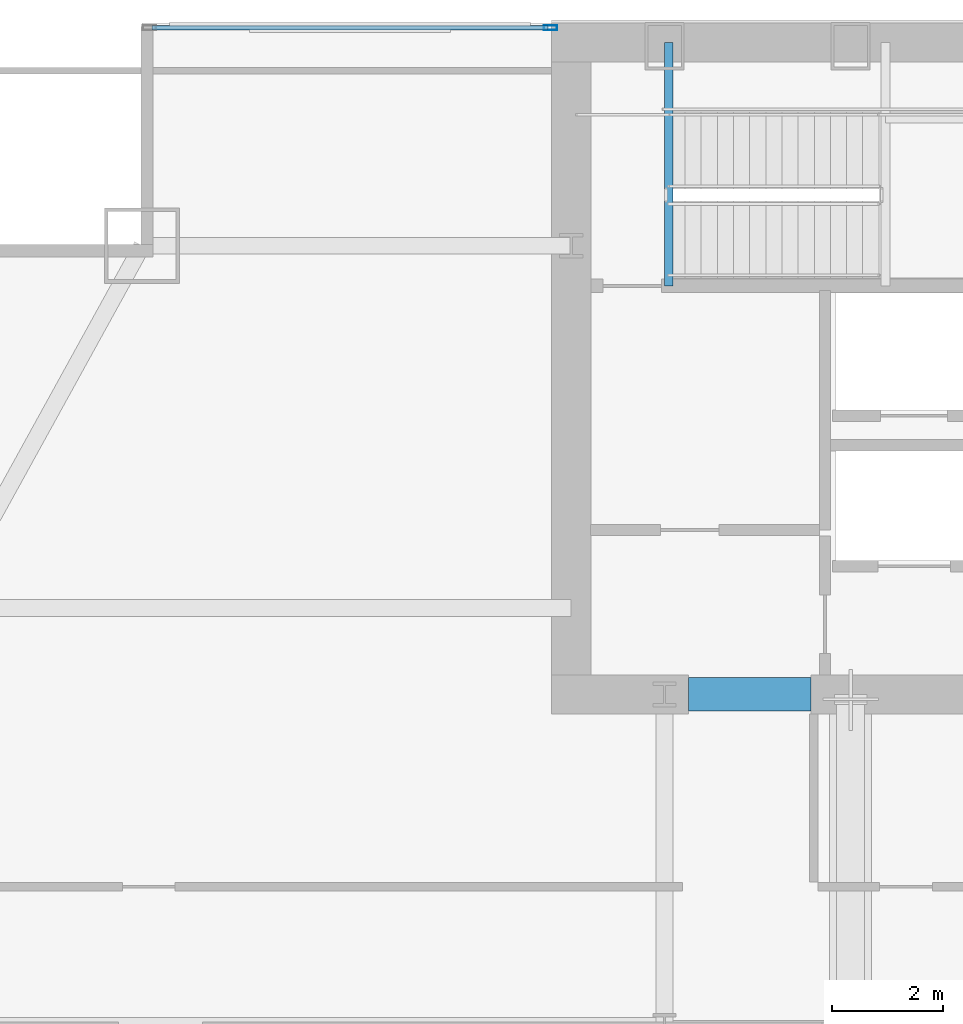
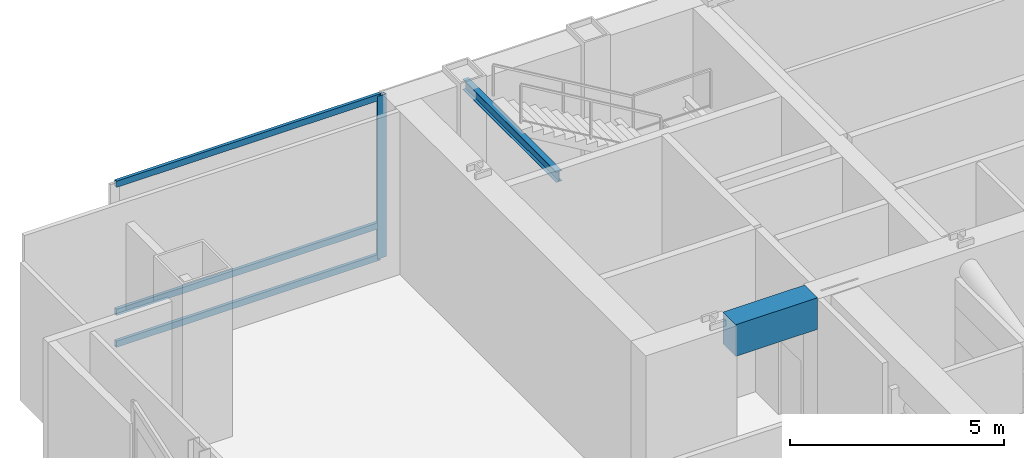
# One storey, part 18 of 30: 4 members, 2 beams, 1 element without a shape of its own.
"""IFC4 building model written with IfcOpenShell, lengths in metres."""

from ifc_helpers import new_model, si_unit, direction, frame, origin, origin_2d, place, context, subcontext, project, spatial, rectangle, hollow_rectangle, i_section, extrude, material, material_profile, profile_set, type_object, element, aggregate, save


model = new_model("IFC4")

# Units and contexts
model_context = context("Model", 3, precision=1e-05, world=origin(), true_north=direction((0.0, 1.0)))
body_context = subcontext(model_context, "Body", "Model", "MODEL_VIEW")
ifc_project = project(units=[si_unit("LENGTHUNIT", "METRE"), si_unit("AREAUNIT", "SQUARE_METRE"), si_unit("VOLUMEUNIT", "CUBIC_METRE"), si_unit("PLANEANGLEUNIT", "RADIAN"), si_unit("MASSUNIT", "GRAM", prefix="KILO")], contexts=[model_context])

# Site, building, storey
site_placement = place(None, origin())
site = spatial("IfcSite", under=ifc_project, at=site_placement, CompositionType="ELEMENT")
building_placement = place(site_placement, origin())
building = spatial("IfcBuilding", under=site, at=building_placement, Name="Khoronbel Lancet Exchange", CompositionType="ELEMENT")
storey_placement = place(building_placement, frame((0.0, 0.0, 172.199951171875)))
storey = spatial("IfcBuildingStorey", under=building, at=storey_placement, Name="L43", CompositionType="ELEMENT", Elevation=172.199951171875)

# Beams
ifc_material_1 = material(Name="Steel S355", Category="steel")
ifc_material_profile_1 = material_profile(ifc_material_1, i_section(OverallWidth=0.14990234375, OverallDepth=0.300048828125, WebThickness=0.007080078125, FlangeThickness=0.0107421875, at=origin_2d()), Name="IPE 300")
ifc_profile_set_1 = profile_set([ifc_material_profile_1], Name="Steel S355")
beam_type_1 = type_object("IfcBeamType", Name="BM-BJ8", PredefinedType="JOIST", material=ifc_profile_set_1)
beam_1_placement = place(storey_placement, frame((18.300048828125, 48.97998046875, 4.360107421875), z_axis=(0.0, 1.0, 0.0), x_axis=(-1.0, 0.0, 0.0)))
element("IfcBeam", 1, at=beam_1_placement, inside=storey, type_object=beam_type_1, Name="Level L43 stair ST1 upper-flight arrival trimmer beam", PredefinedType="JOIST", context=body_context, shape_type="SweptSolid", body=[
    extrude(i_section(OverallWidth=0.14990234375, OverallDepth=0.300048828125, WebThickness=0.007080078125, FlangeThickness=0.0107421875, at=origin_2d()), origin(), (0.0, 0.0, 1.0), 4.3701171875),
])
ifc_material_2 = material(Name="Concrete C80/95", Category="concrete")
ifc_material_profile_2 = material_profile(ifc_material_2, rectangle(XDim=0.60009765625, YDim=0.89990234375, at=origin_2d()), Name="RC 600x900")
ifc_profile_set_2 = profile_set([ifc_material_profile_2], Name="Concrete C80/95")
beam_type_2 = type_object("IfcBeamType", Name="BM-BL1", PredefinedType="LINTEL", material=ifc_profile_set_2)
beam_2_placement = place(storey_placement, frame((18.64990234375, 41.64990234375, 4.18994140625), z_axis=(1.0, 0.0, 0.0), x_axis=(0.0, 1.0, 0.0)))
element("IfcBeam", 2, at=beam_2_placement, inside=storey, type_object=beam_type_2, Name="Level L43 rear core coupling lintel L1", PredefinedType="LINTEL", context=body_context, shape_type="SweptSolid", body=[
    extrude(rectangle(XDim=0.60009765625, YDim=0.89990234375, at=origin_2d()), origin(), (0.0, 0.0, 1.0), 2.2001953125),
])

# Curtain wall, members
ifc_material_3 = material(Name="Low-E Solar Control Insulating Glass", Category="glass")
curtain_wall_type = type_object("IfcCurtainWallType", Name="CW-3", PredefinedType="NOTDEFINED", material=ifc_material_3)
curtain_wall_placement = place(storey_placement, origin())
curtain_wall = element("IfcCurtainWall", 3, at=curtain_wall_placement, inside=storey, type_object=curtain_wall_type, Name="Unitised curtain wall CW-L43-NWFLK", PredefinedType="NOTDEFINED")
ifc_material_4 = material(Name="Bronze-Anodised Aluminium 6063-T6", Category="aluminium")
ifc_material_profile_3 = material_profile(ifc_material_4, hollow_rectangle(XDim=0.0849609375, YDim=0.239990234375, WallThickness=0.006103515625, at=origin_2d()), Name="ALU MULLION 85x240")
ifc_profile_set_3 = profile_set([ifc_material_profile_3], Name="Bronze-Anodised Aluminium 6063-T6")
member_type_1 = type_object("IfcMemberType", Name="MEM-CWM1", PredefinedType="MULLION", material=ifc_profile_set_3)
member_1_placement = place(storey_placement, frame((16.177490234375, 53.610107421875, 0.0), z_axis=(0.0, 0.0, 1.0), x_axis=(0.0, -1.0, 0.0)))
member_1 = element("IfcMember", 4, at=member_1_placement, type_object=member_type_1, Name="CW3 mullion 1", PredefinedType="MULLION", context=body_context, shape_type="SweptSolid", body=[
    extrude(hollow_rectangle(XDim=0.0849609375, YDim=0.239990234375, WallThickness=0.006103515625, at=origin_2d()), origin(), (0.0, 0.0, 1.0), 4.64013671875),
])
ifc_material_profile_4 = material_profile(ifc_material_4, hollow_rectangle(XDim=0.0849609375, YDim=0.179931640625, WallThickness=0.0048828125, at=origin_2d()), Name="ALU TRANSOM 85x180")
ifc_profile_set_4 = profile_set([ifc_material_profile_4], Name="Bronze-Anodised Aluminium 6063-T6")
member_type_2 = type_object("IfcMemberType", Name="MEM-CWT1", PredefinedType="USERDEFINED", material=ifc_profile_set_4)
member_2_placement = place(storey_placement, frame((16.135009765625, 53.610107421875, 0.04248046875), z_axis=(-1.0, 0.0, 0.0), x_axis=(0.0, -1.0, 0.0)))
member_2 = element("IfcMember", 5, at=member_2_placement, type_object=member_type_2, Name="CW3 transom 1.1", ObjectType="TRANSOM", PredefinedType="USERDEFINED", context=body_context, shape_type="SweptSolid", body=[
    extrude(hollow_rectangle(XDim=0.0849609375, YDim=0.179931640625, WallThickness=0.0048828125, at=origin_2d()), origin(), (0.0, 0.0, 1.0), 7.110107421875),
])
member_3_placement = place(storey_placement, frame((16.135009765625, 53.610107421875, 0.949951171875), z_axis=(-1.0, 0.0, 0.0), x_axis=(0.0, -1.0, 0.0)))
member_3 = element("IfcMember", 6, at=member_3_placement, type_object=member_type_2, Name="CW3 transom 1.2", ObjectType="TRANSOM", PredefinedType="USERDEFINED", context=body_context, shape_type="SweptSolid", body=[
    extrude(hollow_rectangle(XDim=0.0849609375, YDim=0.179931640625, WallThickness=0.0048828125, at=origin_2d()), origin(), (0.0, 0.0, 1.0), 7.110107421875),
])
member_4_placement = place(storey_placement, frame((16.135009765625, 53.610107421875, 4.59765625), z_axis=(-1.0, 0.0, 0.0), x_axis=(0.0, -1.0, 0.0)))
member_4 = element("IfcMember", 7, at=member_4_placement, type_object=member_type_2, Name="CW3 transom 1.3", ObjectType="TRANSOM", PredefinedType="USERDEFINED", context=body_context, shape_type="SweptSolid", body=[
    extrude(hollow_rectangle(XDim=0.0849609375, YDim=0.179931640625, WallThickness=0.0048828125, at=origin_2d()), origin(), (0.0, 0.0, 1.0), 7.110107421875),
])
aggregate(curtain_wall, [member_1, member_2, member_3, member_4])

save(model, "model.ifc")
